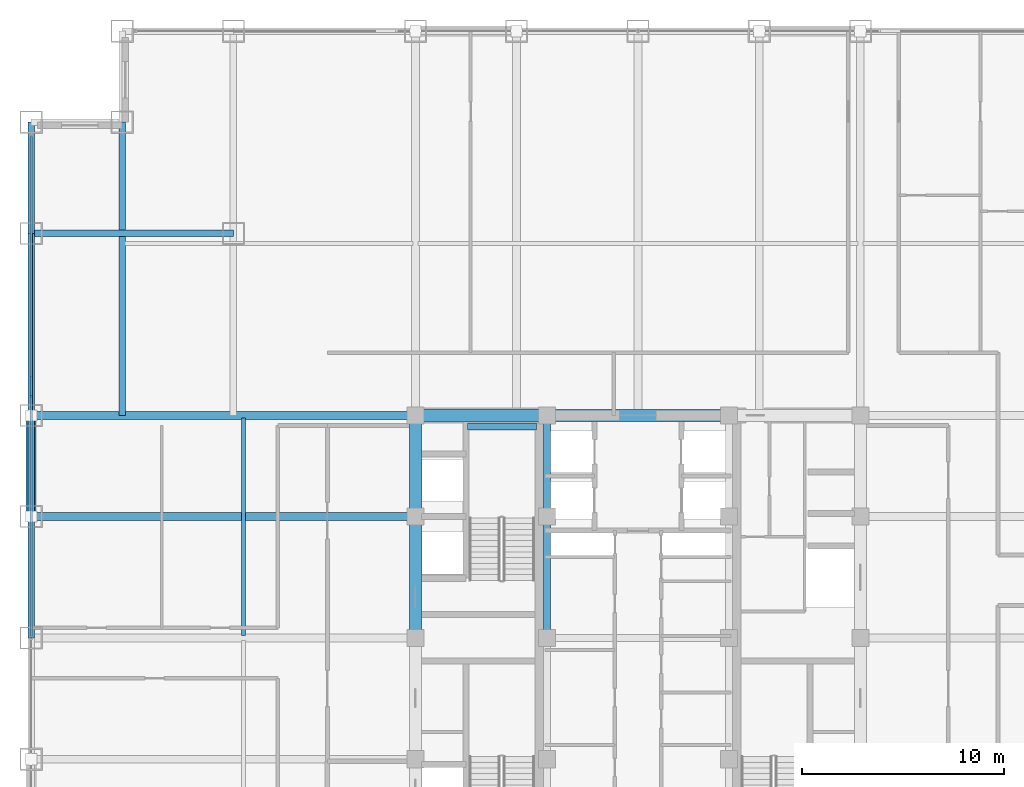
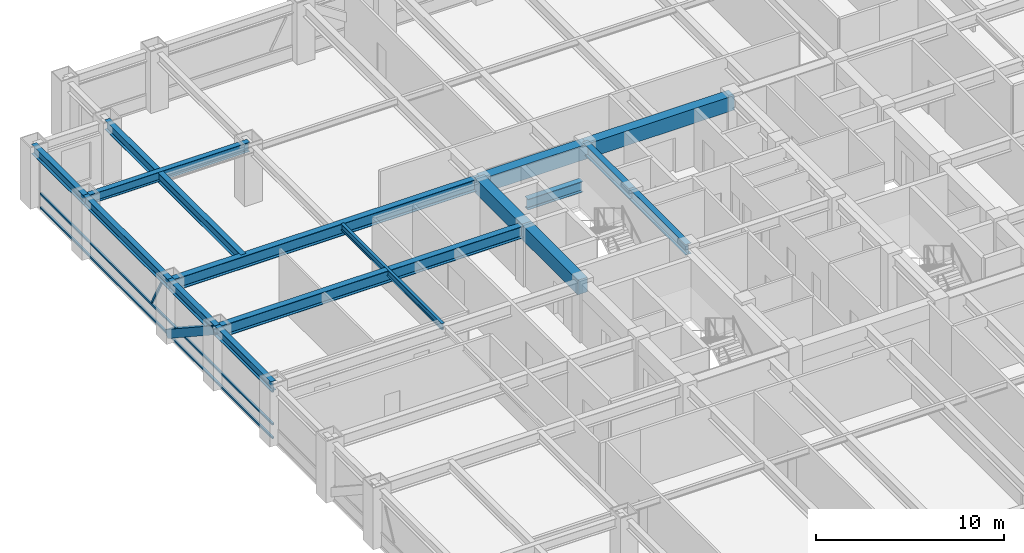
# One storey, part 11 of 24: 16 beams, 5 members, 1 element without a shape of its own.
"""IFC4 building model written with IfcOpenShell, lengths in metres."""

import ifcopenshell
import ifcopenshell.guid

model = None  # the IFC model being written
_history = None  # IfcOwnerHistory: only IFC2X3 demands one
_inside = {}  # id of a spatial element -> (the spatial element, [elements in it])
_under = {}  # id of a project, library or spatial element -> (it, [spatial elements below it])
_declared = {}  # id of a project -> (the project, [libraries it declares])
_typed = {}  # id of a type object -> (the type object, [elements of that type])
_made_of = {}  # id of a material, layer set ... -> (it, [elements and type objects made of it])


def new_model(schema):
    """Start an empty IFC model of exactly this schema.

    Asked for "IFC4X3", IfcOpenShell would pick the latest addendum, in which some entities
    have other attributes; the version numbers below select the first issue.
    IFC2X3 requires an IfcOwnerHistory on every rooted entity: one is made here for all.
    """
    global model, _history
    if schema == "IFC4X3":
        model = ifcopenshell.file(schema_version=(4, 3, 0, 0))
    else:
        model = ifcopenshell.file(schema=schema)
    _inside.clear()
    _under.clear()
    _declared.clear()
    _typed.clear()
    _made_of.clear()
    _history = None
    if model.schema == "IFC2X3":
        org = make("IfcOrganization", Name="unknown")
        user = make(
            "IfcPersonAndOrganization",
            ThePerson=make("IfcPerson", FamilyName="unknown"),
            TheOrganization=org,
        )
        app = make(
            "IfcApplication",
            ApplicationDeveloper=org,
            Version="unknown",
            ApplicationFullName="unknown",
            ApplicationIdentifier="unknown",
        )
        _history = make(
            "IfcOwnerHistory",
            OwningUser=user,
            OwningApplication=app,
            ChangeAction="ADDED",
            CreationDate=0,
        )
    return model


def make(cls, **values):
    """One entity of the class cls with the attributes given. An attribute that is None is left unset."""
    return model.create_entity(
        cls, **{name: value for name, value in values.items() if value is not None}
    )


def rooted(cls, **values):
    """An entity with a GlobalId (a new one), such as an element, a storey or a relation."""
    return make(cls, GlobalId=ifcopenshell.guid.new(), OwnerHistory=_history, **values)


def si_unit(unit_type, name, prefix=None):
    """IfcSIUnit, for example si_unit("LENGTHUNIT", "METRE", prefix="MILLI")."""
    return make("IfcSIUnit", UnitType=unit_type, Prefix=prefix, Name=name)


def assignment(units):
    """IfcUnitAssignment: the units of a project."""
    return None if units is None else make("IfcUnitAssignment", Units=units)


def point(xyz):
    """IfcCartesianPoint."""
    return None if xyz is None else make("IfcCartesianPoint", Coordinates=xyz)


def direction(xyz):
    """IfcDirection."""
    return None if xyz is None else make("IfcDirection", DirectionRatios=xyz)


def frame(location, z_axis=None, x_axis=None):
    """IfcAxis2Placement3D, a coordinate frame: its origin and axes. An axis left out is left unset."""
    return make(
        "IfcAxis2Placement3D",
        Location=point(location),
        Axis=direction(z_axis),
        RefDirection=direction(x_axis),
    )


def frame_2d(location, x_axis=None):
    """IfcAxis2Placement2D, a coordinate frame in the plane: its origin and x axis."""
    return make(
        "IfcAxis2Placement2D", Location=point(location), RefDirection=direction(x_axis)
    )


def origin():
    """The frame at (0, 0, 0) with its axes left unset."""
    return frame((0.0, 0.0, 0.0))


def origin_2d():
    """The frame at (0, 0) in the plane with its x axis left unset."""
    return frame_2d((0.0, 0.0))


def place(relative_to, where):
    """IfcLocalPlacement: puts the frame where relative to a parent placement (None: the world)."""
    return make(
        "IfcLocalPlacement", PlacementRelTo=relative_to, RelativePlacement=where
    )


def context(
    kind, dimensions, precision=None, world=None, true_north=None, identifier=None
):
    """IfcGeometricRepresentationContext, for example the 3D "Model" context."""
    return make(
        "IfcGeometricRepresentationContext",
        ContextIdentifier=identifier,
        ContextType=kind,
        CoordinateSpaceDimension=dimensions,
        Precision=precision,
        WorldCoordinateSystem=world,
        TrueNorth=true_north,
    )


def subcontext(parent, identifier, kind, view, scale=None):
    """IfcGeometricRepresentationSubContext, for example "Body" below "Model"."""
    return make(
        "IfcGeometricRepresentationSubContext",
        ContextIdentifier=identifier,
        ContextType=kind,
        ParentContext=parent,
        TargetScale=scale,
        TargetView=view,
    )


def project(units=None, contexts=None):
    """IfcProject with its units and contexts."""
    return rooted(
        "IfcProject",
        Name="project",
        RepresentationContexts=contexts,
        UnitsInContext=assignment(units),
    )


def spatial(cls, under=None, at=None, **own):
    """A site, building, storey or space (cls), placed at a placement, below another one or the project."""
    s = rooted(cls, ObjectPlacement=at, **own)
    if under is not None:
        _under.setdefault(under.id(), (under, []))[1].append(s)
    return s


def profile(cls, at=None, kind="AREA", **sizes):
    """A parametric profile (cls). Its sizes go by their IFC names, for example OverallWidth=200.0."""
    return make(cls, ProfileType=kind, Position=at, **sizes)


def rectangle(**sizes):
    """IfcRectangleProfileDef."""
    return profile("IfcRectangleProfileDef", **sizes)


def hollow_rectangle(**sizes):
    """IfcRectangleHollowProfileDef."""
    return profile("IfcRectangleHollowProfileDef", **sizes)


def i_section(**sizes):
    """IfcIShapeProfileDef."""
    return profile("IfcIShapeProfileDef", **sizes)


def extrude(swept, where, along, depth):
    """IfcExtrudedAreaSolid: the profile swept, set in the frame where, extruded along a direction by depth."""
    return make(
        "IfcExtrudedAreaSolid",
        SweptArea=swept,
        Position=where,
        ExtrudedDirection=direction(along),
        Depth=depth,
    )


def shape(context_of_items, identifier, shape_type, items):
    """IfcShapeRepresentation: the items that make up one representation, for example the "Body"."""
    return make(
        "IfcShapeRepresentation",
        ContextOfItems=context_of_items,
        RepresentationIdentifier=identifier,
        RepresentationType=shape_type,
        Items=items,
    )


def source(mapping_origin, context_of_items, identifier, shape_type, items):
    """IfcRepresentationMap: a shape defined once, which mapped items show again and again."""
    return make(
        "IfcRepresentationMap",
        MappingOrigin=mapping_origin,
        MappedRepresentation=shape(context_of_items, identifier, shape_type, items),
    )


def transform(
    local_origin,
    x_axis=None,
    y_axis=None,
    z_axis=None,
    scale=None,
    scale2=None,
    scale3=None,
    uniform=True,
):
    """IfcCartesianTransformationOperator3D, or its non-uniform kind. x_axis, y_axis, z_axis: its Axis1, 2, 3."""
    if uniform:
        return make(
            "IfcCartesianTransformationOperator3D",
            Axis1=direction(x_axis),
            Axis2=direction(y_axis),
            LocalOrigin=point(local_origin),
            Scale=scale,
            Axis3=direction(z_axis),
        )
    return make(
        "IfcCartesianTransformationOperator3DnonUniform",
        Axis1=direction(x_axis),
        Axis2=direction(y_axis),
        LocalOrigin=point(local_origin),
        Scale=scale,
        Axis3=direction(z_axis),
        Scale2=scale2,
        Scale3=scale3,
    )


def mapped(mapping_source, mapping_target):
    """IfcMappedItem: shows the shape of a source again, moved by a transform."""
    return make(
        "IfcMappedItem", MappingSource=mapping_source, MappingTarget=mapping_target
    )


def material(Name=None, Category=None):
    """IfcMaterial."""
    return make("IfcMaterial", Name=Name, Category=Category)


def material_profile(
    of_material, cross_section, Name=None, Category=None, Priority=None
):
    """IfcMaterialProfile: a cross section and its material."""
    return make(
        "IfcMaterialProfile",
        Name=Name,
        Material=of_material,
        Profile=cross_section,
        Priority=Priority,
        Category=Category,
    )


def profile_set(profiles, Name=None, composite=None):
    """IfcMaterialProfileSet."""
    return make(
        "IfcMaterialProfileSet",
        Name=Name,
        MaterialProfiles=profiles,
        CompositeProfile=composite,
    )


def made_of(thing, what):
    """Note that an element or type object is made of a material, layer set ...; save() writes the relation."""
    if what is not None:
        _made_of.setdefault(what.id(), (what, []))[1].append(thing)
    return thing


def type_object(cls, material=None, **own):
    """A type object (cls), such as IfcWallType, which elements share."""
    return made_of(rooted(cls, **own), material)


def element(
    cls,
    number,
    at=None,
    inside=None,
    cuts=None,
    type_object=None,
    material=None,
    context=None,
    identifier="Body",
    shape_type=None,
    held_by="IfcProductDefinitionShape",
    body=None,
    shapes=None,
    **own,
):
    """One element of the class cls, such as IfcWall. Its Tag is "e" and its number.

    at: its placement. inside: the storey or other place that contains it. cuts: it is an
    opening in that element (IfcRelVoidsElement). A single representation is given by context,
    identifier, shape_type and body (its items); several are given by shapes. held_by: the class
    of the entity that holds the representations. save() writes the other relations.
    """
    e = rooted(cls, Tag="e%d" % number, ObjectPlacement=at, **own)
    if body is not None:
        shapes = [shape(context, identifier, shape_type, body)]
    if shapes is not None:
        e.Representation = make(held_by, Representations=shapes)
    if inside is not None:
        _inside.setdefault(inside.id(), (inside, []))[1].append(e)
    if cuts is not None:
        rooted(
            "IfcRelVoidsElement", RelatingBuildingElement=cuts, RelatedOpeningElement=e
        )
    if type_object is not None:
        _typed.setdefault(type_object.id(), (type_object, []))[1].append(e)
    return made_of(e, material)


def aggregate(whole, parts):
    """IfcRelAggregates: a whole, such as a stair, and the parts it consists of."""
    return rooted("IfcRelAggregates", RelatingObject=whole, RelatedObjects=parts)


def save(model, path):
    """Write the relations noted so far, then the file.

    IfcRelAggregates (storeys below a building ...), IfcRelContainedInSpatialStructure (elements
    in a storey), IfcRelDefinesByType, IfcRelAssociatesMaterial and IfcRelDeclares: one each for
    every whole, place, type object, material and project.
    """
    for whole, parts in _under.values():
        aggregate(whole, parts)
    for where, things in _inside.values():
        rooted(
            "IfcRelContainedInSpatialStructure",
            RelatedElements=things,
            RelatingStructure=where,
        )
    for kind, things in _typed.values():
        rooted("IfcRelDefinesByType", RelatedObjects=things, RelatingType=kind)
    for what, things in _made_of.values():
        rooted("IfcRelAssociatesMaterial", RelatedObjects=things, RelatingMaterial=what)
    for by, libraries in _declared.values():
        rooted("IfcRelDeclares", RelatingContext=by, RelatedDefinitions=libraries)
    model.write(path)


model = new_model("IFC4")

# Units and contexts
model_context = context("Model", 3, precision=1e-05, world=origin(), true_north=direction((0.0, 1.0)))
body_context = subcontext(model_context, "Body", "Model", "MODEL_VIEW")
ifc_project = project(units=[si_unit("LENGTHUNIT", "METRE"), si_unit("AREAUNIT", "SQUARE_METRE"), si_unit("VOLUMEUNIT", "CUBIC_METRE"), si_unit("PLANEANGLEUNIT", "RADIAN"), si_unit("MASSUNIT", "GRAM", prefix="KILO")], contexts=[model_context])

# Site, building, storey
site_placement = place(None, origin())
site = spatial("IfcSite", under=ifc_project, at=site_placement, CompositionType="ELEMENT")
building_placement = place(site_placement, origin())
building = spatial("IfcBuilding", under=site, at=building_placement, Name="Khorayat Bourse Tower", CompositionType="ELEMENT")
storey_placement = place(building_placement, frame((0.0, 0.0, 203.10009765625)))
storey = spatial("IfcBuildingStorey", under=building, at=storey_placement, Name="L47", CompositionType="ELEMENT", Elevation=203.10009765625)

# Beams
ifc_material_1 = material(Name="Steel ASTM A992 Grade 50", Category="steel")
ifc_material_profile_1 = material_profile(ifc_material_1, i_section(OverallWidth=0.35498046875, OverallDepth=0.695068359375, WebThickness=0.015380859375, FlangeThickness=0.02490234375, FilletRadius=0.01806640625, at=origin_2d()), Name="W690X217")
ifc_profile_set_1 = profile_set([ifc_material_profile_1], Name="Steel ASTM A992 Grade 50")
beam_type_1 = type_object("IfcBeamType", Name="BM-GIRD-690", PredefinedType="BEAM", material=ifc_profile_set_1)
shared_shape_1 = source(origin(), body_context, "Body", "SweptSolid", [
    extrude(i_section(OverallWidth=0.35498046875, OverallDepth=0.695068359375, WebThickness=0.015380859375, FlangeThickness=0.02490234375, FilletRadius=0.01806640625, at=origin_2d()), origin(), (0.0, 0.0, 1.0), 5.0),
])
beam_1_placement = place(storey_placement, frame((-4.5, 6.0, 3.432373046875), z_axis=(0.0, 1.0, 0.0), x_axis=(-1.0, 0.0, 0.0)))
element("IfcBeam", 1, at=beam_1_placement, inside=storey, type_object=beam_type_1, Name="L47 BM-GIRD-690 BM-L47-CRX-08", PredefinedType="BEAM", context=body_context, shape_type="MappedRepresentation", body=[
    mapped(shared_shape_1, transform((0.0, 0.0, 0.0), scale=1.0)),
])
shared_shape_2 = source(origin(), body_context, "Body", "SweptSolid", [
    extrude(i_section(OverallWidth=0.35498046875, OverallDepth=0.695068359375, WebThickness=0.015380859375, FlangeThickness=0.02490234375, FilletRadius=0.01806640625, at=origin_2d()), origin(), (0.0, 0.0, 1.0), 6.0),
])
beam_2_placement = place(storey_placement, frame((-4.5, 0.0, 3.432373046875), z_axis=(0.0, 1.0, 0.0), x_axis=(-1.0, 0.0, 0.0)))
element("IfcBeam", 2, at=beam_2_placement, inside=storey, type_object=beam_type_1, Name="L47 BM-GIRD-690 BM-L47-CRX-07", PredefinedType="BEAM", context=body_context, shape_type="MappedRepresentation", body=[
    mapped(shared_shape_2, transform((0.0, 0.0, 0.0), scale=1.0)),
])
shared_shape_3 = source(origin(), body_context, "Body", "SweptSolid", [
    extrude(i_section(OverallWidth=0.35498046875, OverallDepth=0.695068359375, WebThickness=0.015380859375, FlangeThickness=0.02490234375, FilletRadius=0.01806640625, at=origin_2d()), origin(), (0.0, 0.0, 1.0), 3.39990234375),
])
beam_3_placement = place(storey_placement, frame((-8.419921875, 10.449951171875, 1.452392578125), z_axis=(1.0, 0.0, 0.0), x_axis=(0.0, 1.0, 0.0)))
element("IfcBeam", 3, at=beam_3_placement, inside=storey, type_object=beam_type_1, Name="L47 BM-GIRD-690 BM-L47-ST2L", PredefinedType="BEAM", context=body_context, shape_type="MappedRepresentation", body=[
    mapped(shared_shape_3, transform((0.0, 0.0, 0.0), scale=1.0)),
])
ifc_material_profile_2 = material_profile(ifc_material_1, i_section(OverallWidth=0.381103515625, OverallDepth=0.77294921875, WebThickness=0.0166015625, FlangeThickness=0.027587890625, FilletRadius=0.01806640625, at=origin_2d()), Name="W760X257")
ifc_profile_set_2 = profile_set([ifc_material_profile_2], Name="Steel ASTM A992 Grade 50")
beam_type_2 = type_object("IfcBeamType", Name="BM-GIRD-760", PredefinedType="BEAM", material=ifc_profile_set_2)
shared_shape_4 = source(origin(), body_context, "Body", "SweptSolid", [
    extrude(i_section(OverallWidth=0.381103515625, OverallDepth=0.77294921875, WebThickness=0.0166015625, FlangeThickness=0.027587890625, FilletRadius=0.01806640625, at=origin_2d()), origin(), (0.0, 0.0, 1.0), 19.0),
])
for number, where, z_axis, x_axis, name in (
    (4, (-30.0, 6.0, 3.393310546875), (1.0, 0.0, 0.0), (0.0, 1.0, 0.0), "L47 BM-GIRD-760 BM-L47-RADX-081"),
    (5, (-30.0, 11.0, 3.393310546875), (1.0, 0.0, 0.0), (0.0, 1.0, 0.0), "L47 BM-GIRD-760 BM-L47-RADX-083"),
):
    element("IfcBeam", number, at=place(storey_placement, frame(where, z_axis=z_axis, x_axis=x_axis)), inside=storey, type_object=beam_type_2, Name=name, PredefinedType="BEAM", context=body_context, shape_type="MappedRepresentation", body=[
        mapped(shared_shape_4, transform((0.0, 0.0, 0.0), scale=1.0)),
    ])
ifc_material_profile_3 = material_profile(ifc_material_1, i_section(OverallWidth=0.324951171875, OverallDepth=0.615966796875, WebThickness=0.013916015625, FlangeThickness=0.021484375, FilletRadius=0.01611328125, at=origin_2d()), Name="W610X174")
ifc_profile_set_3 = profile_set([ifc_material_profile_3], Name="Steel ASTM A992 Grade 50")
beam_type_3 = type_object("IfcBeamType", Name="BM-GIRD-610", PredefinedType="BEAM", material=ifc_profile_set_3)
shared_shape_5 = source(origin(), body_context, "Body", "SweptSolid", [
    extrude(i_section(OverallWidth=0.324951171875, OverallDepth=0.615966796875, WebThickness=0.013916015625, FlangeThickness=0.021484375, FilletRadius=0.01611328125, at=origin_2d()), origin(), (0.0, 0.0, 1.0), 14.5),
])
beam_4_placement = place(storey_placement, frame((-25.5, 11.0, 3.471923828125), z_axis=(0.0, 1.0, 0.0), x_axis=(-1.0, 0.0, 0.0)))
element("IfcBeam", 6, at=beam_4_placement, inside=storey, type_object=beam_type_3, Name="L47 BM-GIRD-610 BM-L47-CNRY-089", PredefinedType="BEAM", context=body_context, shape_type="MappedRepresentation", body=[
    mapped(shared_shape_5, transform((0.0, 0.0, 0.0), scale=1.0)),
])
shared_shape_6 = source(origin(), body_context, "Body", "SweptSolid", [
    extrude(i_section(OverallWidth=0.324951171875, OverallDepth=0.615966796875, WebThickness=0.013916015625, FlangeThickness=0.021484375, FilletRadius=0.01611328125, at=origin_2d()), origin(), (0.0, 0.0, 1.0), 10.0),
])
beam_5_placement = place(storey_placement, frame((-30.0, 20.0, 3.471923828125), z_axis=(1.0, 0.0, 0.0), x_axis=(0.0, 1.0, 0.0)))
element("IfcBeam", 7, at=beam_5_placement, inside=storey, type_object=beam_type_3, Name="L47 BM-GIRD-610 BM-L47-CNRX-095", PredefinedType="BEAM", context=body_context, shape_type="MappedRepresentation", body=[
    mapped(shared_shape_6, transform((0.0, 0.0, 0.0), scale=1.0)),
])
ifc_material_profile_4 = material_profile(ifc_material_1, i_section(OverallWidth=0.180908203125, OverallDepth=0.4169921875, WebThickness=0.010986328125, FlangeThickness=0.018310546875, FilletRadius=0.011962890625, at=origin_2d()), Name="W410X85")
ifc_profile_set_4 = profile_set([ifc_material_profile_4], Name="Steel ASTM A992 Grade 50")
beam_type_4 = type_object("IfcBeamType", Name="BM-JOIST-410", PredefinedType="JOIST", material=ifc_profile_set_4)
shared_shape_7 = source(origin(), body_context, "Body", "SweptSolid", [
    extrude(i_section(OverallWidth=0.180908203125, OverallDepth=0.4169921875, WebThickness=0.010986328125, FlangeThickness=0.018310546875, FilletRadius=0.011962890625, at=origin_2d()), origin(), (0.0, 0.0, 1.0), 10.740234375),
])
beam_6_placement = place(storey_placement, frame((-19.5, 0.1298828125, 3.5712890625), z_axis=(0.0, 1.0, 0.0), x_axis=(-1.0, 0.0, 0.0)))
element("IfcBeam", 8, at=beam_6_placement, inside=storey, type_object=beam_type_4, Name="L47 BM-JOIST-410 BM-L47-JSTY-103", PredefinedType="JOIST", context=body_context, shape_type="MappedRepresentation", body=[
    mapped(shared_shape_7, transform((0.0, 0.0, 0.0), scale=1.0)),
])
ifc_material_profile_5 = material_profile(ifc_material_1, i_section(OverallWidth=0.324951171875, OverallDepth=0.615966796875, WebThickness=0.013916015625, FlangeThickness=0.021484375, FilletRadius=0.01611328125, at=origin_2d()), Name="W610X174")
ifc_profile_set_5 = profile_set([ifc_material_profile_5], Name="Steel ASTM A992 Grade 50")
beam_type_5 = type_object("IfcBeamType", Name="BM-SPAN-610", PredefinedType="SPANDREL", material=ifc_profile_set_5)
shared_shape_8 = source(origin(), body_context, "Body", "SweptSolid", [
    extrude(i_section(OverallWidth=0.324951171875, OverallDepth=0.615966796875, WebThickness=0.013916015625, FlangeThickness=0.021484375, FilletRadius=0.01611328125, at=origin_2d()), origin(), (0.0, 0.0, 1.0), 5.5),
])
beam_7_placement = place(storey_placement, frame((-30.0, 20.0, 3.471923828125), z_axis=(0.0, 1.0, 0.0), x_axis=(-1.0, 0.0, 0.0)))
element("IfcBeam", 9, at=beam_7_placement, inside=storey, type_object=beam_type_5, Name="L47 BM-SPAN-610 BM-L47-SPN-054", PredefinedType="SPANDREL", context=body_context, shape_type="MappedRepresentation", body=[
    mapped(shared_shape_8, transform((0.0, 0.0, 0.0), scale=1.0)),
])
shared_shape_9 = source(origin(), body_context, "Body", "SweptSolid", [
    extrude(i_section(OverallWidth=0.324951171875, OverallDepth=0.615966796875, WebThickness=0.013916015625, FlangeThickness=0.021484375, FilletRadius=0.01611328125, at=origin_2d()), origin(), (0.0, 0.0, 1.0), 9.0),
])
beam_8_placement = place(storey_placement, frame((-30.0, 11.0, 3.471923828125), z_axis=(0.0, 1.0, 0.0), x_axis=(-1.0, 0.0, 0.0)))
element("IfcBeam", 10, at=beam_8_placement, inside=storey, type_object=beam_type_5, Name="L47 BM-SPAN-610 BM-L47-SPN-055", PredefinedType="SPANDREL", context=body_context, shape_type="MappedRepresentation", body=[
    mapped(shared_shape_9, transform((0.0, 0.0, 0.0), scale=1.0)),
])
shared_shape_10 = source(origin(), body_context, "Body", "SweptSolid", [
    extrude(i_section(OverallWidth=0.324951171875, OverallDepth=0.615966796875, WebThickness=0.013916015625, FlangeThickness=0.021484375, FilletRadius=0.01611328125, at=origin_2d()), origin(), (0.0, 0.0, 1.0), 5.0),
])
beam_9_placement = place(storey_placement, frame((-30.0, 6.0, 3.471923828125), z_axis=(0.0, 1.0, 0.0), x_axis=(-1.0, 0.0, 0.0)))
element("IfcBeam", 11, at=beam_9_placement, inside=storey, type_object=beam_type_5, Name="L47 BM-SPAN-610 BM-L47-SPN-056", PredefinedType="SPANDREL", context=body_context, shape_type="MappedRepresentation", body=[
    mapped(shared_shape_10, transform((0.0, 0.0, 0.0), scale=1.0)),
])
shared_shape_11 = source(origin(), body_context, "Body", "SweptSolid", [
    extrude(i_section(OverallWidth=0.324951171875, OverallDepth=0.615966796875, WebThickness=0.013916015625, FlangeThickness=0.021484375, FilletRadius=0.01611328125, at=origin_2d()), origin(), (0.0, 0.0, 1.0), 6.0),
])
beam_10_placement = place(storey_placement, frame((-30.0, 0.0, 3.471923828125), z_axis=(0.0, 1.0, 0.0), x_axis=(-1.0, 0.0, 0.0)))
element("IfcBeam", 12, at=beam_10_placement, inside=storey, type_object=beam_type_5, Name="L47 BM-SPAN-610 BM-L47-SPN-057", PredefinedType="SPANDREL", context=body_context, shape_type="MappedRepresentation", body=[
    mapped(shared_shape_11, transform((0.0, 0.0, 0.0), scale=1.0)),
])

# Member
ifc_material_2 = material(Name="Steel EN 10025-4 S460M", Category="steel")
ifc_material_profile_6 = material_profile(ifc_material_2, hollow_rectangle(XDim=0.5, YDim=0.5, WallThickness=0.028076171875, at=origin_2d()), Name="HSS 500x500x28")
ifc_profile_set_6 = profile_set([ifc_material_profile_6], Name="Steel EN 10025-4 S460M")
member_type_1 = type_object("IfcMemberType", Name="MBR-TUBE-500", PredefinedType="BRACE", material=ifc_profile_set_6)
shared_shape_12 = source(origin(), body_context, "Body", "SweptSolid", [
    extrude(hollow_rectangle(XDim=0.5, YDim=0.5, WallThickness=0.028076171875, at=origin_2d()), origin(), (0.0, 0.0, 1.0), 5.979736328125),
])
member_1_placement = place(storey_placement, frame((-30.0, 6.0, 3.52978515625), z_axis=(0.0, 0.836160261256, -0.548485202623), x_axis=(-1.0, 0.0, 0.0)))
element("IfcMember", 13, at=member_1_placement, inside=storey, type_object=member_type_1, Name="L47 Perimeter Tube Brace 06", PredefinedType="BRACE", context=body_context, shape_type="MappedRepresentation", body=[
    mapped(shared_shape_12, transform((0.0, 0.0, 0.0), scale=1.0)),
])

# Beams
ifc_material_3 = material(Name="Concrete C60/75", Category="concrete")
ifc_material_profile_7 = material_profile(ifc_material_3, rectangle(XDim=0.60009765625, YDim=0.949951171875, at=origin_2d()), Name="RC 600x950")
ifc_profile_set_7 = profile_set([ifc_material_profile_7], Name="Concrete C60/75")
beam_type_6 = type_object("IfcBeamType", Name="BM-COUP-950", PredefinedType="BEAM", material=ifc_profile_set_7)
shared_shape_13 = source(origin(), body_context, "Body", "SweptSolid", [
    extrude(rectangle(XDim=0.60009765625, YDim=0.949951171875, at=origin_2d()), origin(), (0.0, 0.0, 1.0), 5.0),
])
beam_11_placement = place(storey_placement, frame((-11.0, 6.0, 3.304931640625), z_axis=(0.0, 1.0, 0.0), x_axis=(-1.0, 0.0, 0.0)))
element("IfcBeam", 14, at=beam_11_placement, inside=storey, type_object=beam_type_6, Name="L47 BM-COUP-950 BM-L47-CRX-04", PredefinedType="BEAM", context=body_context, shape_type="MappedRepresentation", body=[
    mapped(shared_shape_13, transform((0.0, 0.0, 0.0), scale=1.0)),
])
shared_shape_14 = source(origin(), body_context, "Body", "SweptSolid", [
    extrude(rectangle(XDim=0.60009765625, YDim=0.949951171875, at=origin_2d()), origin(), (0.0, 0.0, 1.0), 6.0),
])
beam_12_placement = place(storey_placement, frame((-11.0, 0.0, 3.304931640625), z_axis=(0.0, 1.0, 0.0), x_axis=(-1.0, 0.0, 0.0)))
element("IfcBeam", 15, at=beam_12_placement, inside=storey, type_object=beam_type_6, Name="L47 BM-COUP-950 BM-L47-CRX-03", PredefinedType="BEAM", context=body_context, shape_type="MappedRepresentation", body=[
    mapped(shared_shape_14, transform((0.0, 0.0, 0.0), scale=1.0)),
])
shared_shape_15 = source(origin(), body_context, "Body", "SweptSolid", [
    extrude(rectangle(XDim=0.60009765625, YDim=0.949951171875, at=origin_2d()), origin(), (0.0, 0.0, 1.0), 6.5),
])
beam_13_placement = place(storey_placement, frame((-11.0, 11.0, 3.304931640625), z_axis=(1.0, 0.0, 0.0), x_axis=(0.0, 1.0, 0.0)))
element("IfcBeam", 16, at=beam_13_placement, inside=storey, type_object=beam_type_6, Name="L47 BM-COUP-950 BM-L47-CRY-20", PredefinedType="BEAM", context=body_context, shape_type="MappedRepresentation", body=[
    mapped(shared_shape_15, transform((0.0, 0.0, 0.0), scale=1.0)),
])
shared_shape_16 = source(origin(), body_context, "Body", "SweptSolid", [
    extrude(rectangle(XDim=0.60009765625, YDim=0.949951171875, at=origin_2d()), origin(), (0.0, 0.0, 1.0), 9.0),
])
beam_14_placement = place(storey_placement, frame((-4.5, 11.0, 3.304931640625), z_axis=(1.0, 0.0, 0.0), x_axis=(0.0, 1.0, 0.0)))
element("IfcBeam", 17, at=beam_14_placement, inside=storey, type_object=beam_type_6, Name="L47 BM-COUP-950 BM-L47-CRY-21", PredefinedType="BEAM", context=body_context, shape_type="MappedRepresentation", body=[
    mapped(shared_shape_16, transform((0.0, 0.0, 0.0), scale=1.0)),
])

# Curtain wall, members
ifc_material_4 = material(Name="Aluminium EN AW-6063 T6", Category="aluminium")
curtain_wall_type = type_object("IfcCurtainWallType", Name="CW-SYS-03", PredefinedType="NOTDEFINED", material=ifc_material_4)
curtain_wall_placement = place(storey_placement, origin())
curtain_wall = element("IfcCurtainWall", 18, at=curtain_wall_placement, inside=storey, type_object=curtain_wall_type, Name="L47 Curtain Wall CW-L47-W1", PredefinedType="NOTDEFINED")
ifc_material_profile_8 = material_profile(ifc_material_4, hollow_rectangle(XDim=0.1201171875, YDim=0.1201171875, WallThickness=0.0048828125, at=origin_2d()), Name="ALU 120x120x5")
ifc_profile_set_8 = profile_set([ifc_material_profile_8], Name="Aluminium EN AW-6063 T6")
member_type_2 = type_object("IfcMemberType", Name="CWM-DIAG-120", PredefinedType="MULLION", material=ifc_profile_set_8)
shared_shape_17 = source(origin(), body_context, "Body", "SweptSolid", [
    extrude(hollow_rectangle(XDim=0.1201171875, YDim=0.1201171875, WallThickness=0.0048828125, at=origin_2d()), origin(), (0.0, 0.0, 1.0), 2.079345703125),
])
member_2_placement = place(storey_placement, frame((-30.0, 12.904296875, 1.08984375), z_axis=(0.0, -0.465760949701, 0.884910581773), x_axis=(1.0, 0.0, 0.0)))
member_2 = element("IfcMember", 19, at=member_2_placement, type_object=member_type_2, Name="CW-L47-W1 Faceted Diagonal Mullion 2", PredefinedType="MULLION", context=body_context, shape_type="MappedRepresentation", body=[
    mapped(shared_shape_17, transform((0.0, 0.0, 0.0), scale=1.0)),
])
ifc_material_profile_9 = material_profile(ifc_material_4, hollow_rectangle(XDim=0.1201171875, YDim=0.1201171875, WallThickness=0.0048828125, at=origin_2d()), Name="ALU 120x120x5")
ifc_profile_set_9 = profile_set([ifc_material_profile_9], Name="Aluminium EN AW-6063 T6")
member_type_3 = type_object("IfcMemberType", Name="CWT-HORZ-120", PredefinedType="USERDEFINED", material=ifc_profile_set_9)
shared_shape_18 = source(origin(), body_context, "Body", "SweptSolid", [
    extrude(hollow_rectangle(XDim=0.1201171875, YDim=0.1201171875, WallThickness=0.0048828125, at=origin_2d()), origin(), (0.0, 0.0, 1.0), 24.719970703125),
])
member_3_placement = place(storey_placement, frame((-30.0, 0.06005859375, 0.059814453125), z_axis=(0.0, 1.0, 0.0), x_axis=(-1.0, 0.0, 0.0)))
member_3 = element("IfcMember", 20, at=member_3_placement, type_object=member_type_3, Name="CW-L47-W1 Horizontal Transom 2-1", ObjectType="TRANSOM", PredefinedType="USERDEFINED", context=body_context, shape_type="MappedRepresentation", body=[
    mapped(shared_shape_18, transform((0.0, 0.0, 0.0), scale=1.0)),
])
member_4_placement = place(storey_placement, frame((-30.0, 0.06005859375, 0.949951171875), z_axis=(0.0, 1.0, 0.0), x_axis=(-1.0, 0.0, 0.0)))
member_4 = element("IfcMember", 21, at=member_4_placement, type_object=member_type_3, Name="CW-L47-W1 Horizontal Transom 2-2", ObjectType="TRANSOM", PredefinedType="USERDEFINED", context=body_context, shape_type="MappedRepresentation", body=[
    mapped(shared_shape_18, transform((0.0, 0.0, 0.0), scale=1.0)),
])
member_5_placement = place(storey_placement, frame((-30.0, 0.06005859375, 3.06982421875), z_axis=(0.0, 1.0, 0.0), x_axis=(-1.0, 0.0, 0.0)))
member_5 = element("IfcMember", 22, at=member_5_placement, type_object=member_type_3, Name="CW-L47-W1 Horizontal Transom 2-3", ObjectType="TRANSOM", PredefinedType="USERDEFINED", context=body_context, shape_type="MappedRepresentation", body=[
    mapped(shared_shape_18, transform((0.0, 0.0, 0.0), scale=1.0)),
])
aggregate(curtain_wall, [member_3, member_4, member_5, member_2])

save(model, "model.ifc")
